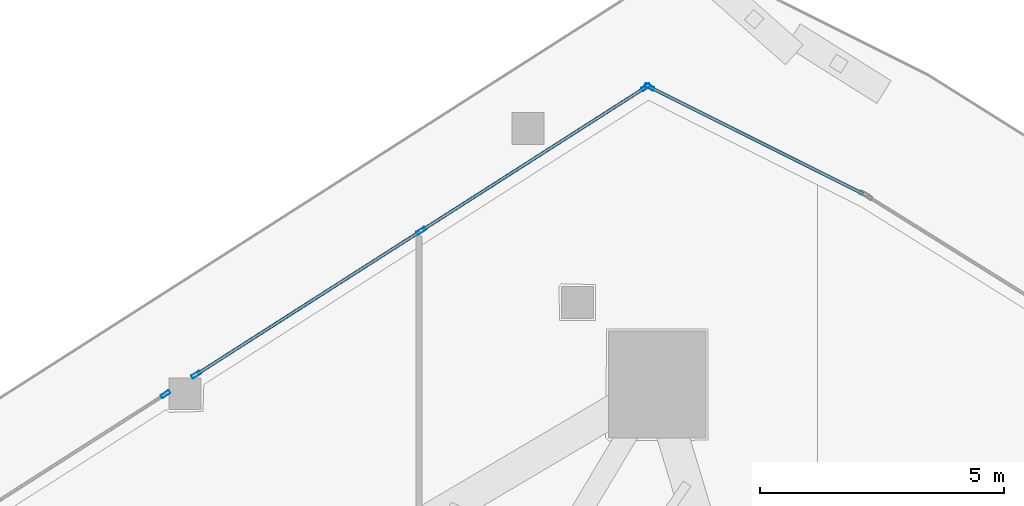
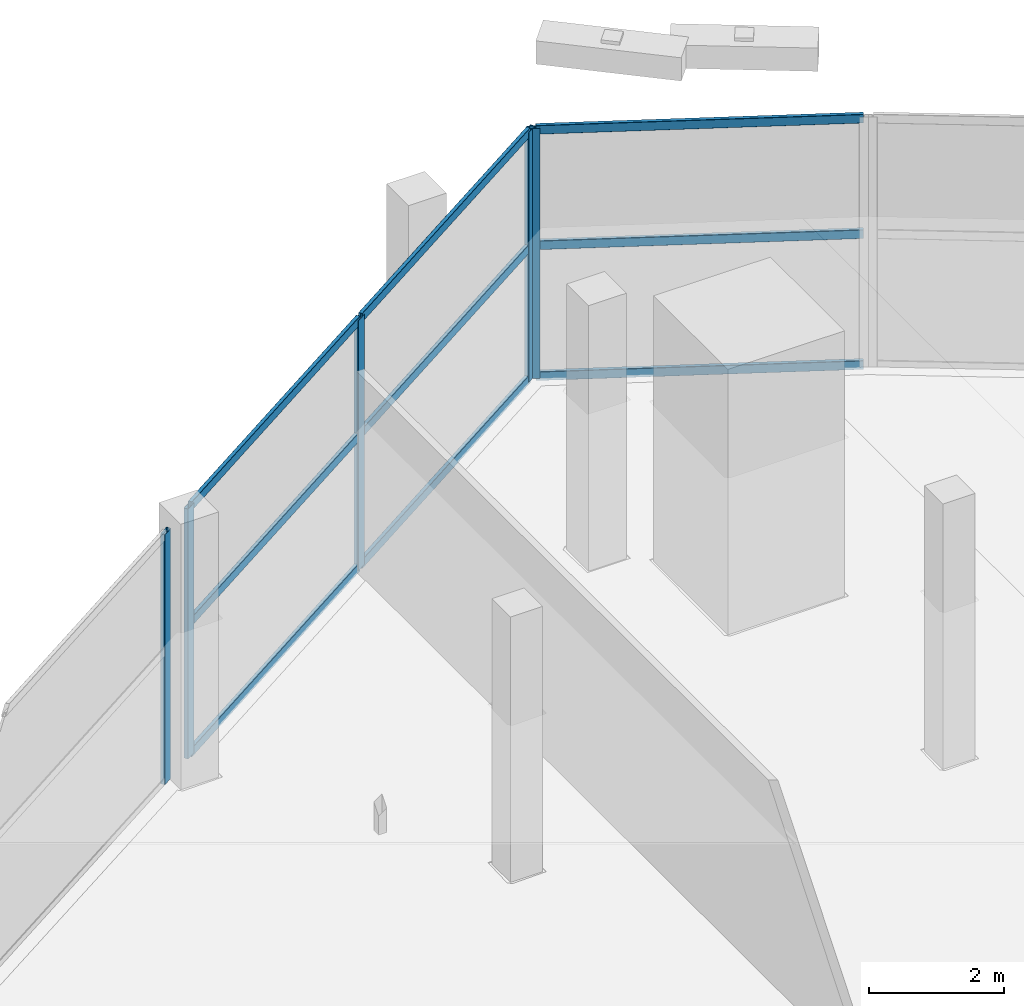
# One storey, part 20 of 42: 14 members, 3 elements without a shape of their own.
"""IFC4 building model written with IfcOpenShell, lengths in metres."""

import ifcopenshell
import ifcopenshell.guid

model = None  # the IFC model being written
_history = None  # IfcOwnerHistory: only IFC2X3 demands one
_inside = {}  # id of a spatial element -> (the spatial element, [elements in it])
_under = {}  # id of a project, library or spatial element -> (it, [spatial elements below it])
_declared = {}  # id of a project -> (the project, [libraries it declares])
_typed = {}  # id of a type object -> (the type object, [elements of that type])
_made_of = {}  # id of a material, layer set ... -> (it, [elements and type objects made of it])


def new_model(schema):
    """Start an empty IFC model of exactly this schema.

    Asked for "IFC4X3", IfcOpenShell would pick the latest addendum, in which some entities
    have other attributes; the version numbers below select the first issue.
    IFC2X3 requires an IfcOwnerHistory on every rooted entity: one is made here for all.
    """
    global model, _history
    if schema == "IFC4X3":
        model = ifcopenshell.file(schema_version=(4, 3, 0, 0))
    else:
        model = ifcopenshell.file(schema=schema)
    _inside.clear()
    _under.clear()
    _declared.clear()
    _typed.clear()
    _made_of.clear()
    _history = None
    if model.schema == "IFC2X3":
        org = make("IfcOrganization", Name="unknown")
        user = make(
            "IfcPersonAndOrganization",
            ThePerson=make("IfcPerson", FamilyName="unknown"),
            TheOrganization=org,
        )
        app = make(
            "IfcApplication",
            ApplicationDeveloper=org,
            Version="unknown",
            ApplicationFullName="unknown",
            ApplicationIdentifier="unknown",
        )
        _history = make(
            "IfcOwnerHistory",
            OwningUser=user,
            OwningApplication=app,
            ChangeAction="ADDED",
            CreationDate=0,
        )
    return model


def make(cls, **values):
    """One entity of the class cls with the attributes given. An attribute that is None is left unset."""
    return model.create_entity(
        cls, **{name: value for name, value in values.items() if value is not None}
    )


def rooted(cls, **values):
    """An entity with a GlobalId (a new one), such as an element, a storey or a relation."""
    return make(cls, GlobalId=ifcopenshell.guid.new(), OwnerHistory=_history, **values)


def si_unit(unit_type, name, prefix=None):
    """IfcSIUnit, for example si_unit("LENGTHUNIT", "METRE", prefix="MILLI")."""
    return make("IfcSIUnit", UnitType=unit_type, Prefix=prefix, Name=name)


def assignment(units):
    """IfcUnitAssignment: the units of a project."""
    return None if units is None else make("IfcUnitAssignment", Units=units)


def point(xyz):
    """IfcCartesianPoint."""
    return None if xyz is None else make("IfcCartesianPoint", Coordinates=xyz)


def direction(xyz):
    """IfcDirection."""
    return None if xyz is None else make("IfcDirection", DirectionRatios=xyz)


def frame(location, z_axis=None, x_axis=None):
    """IfcAxis2Placement3D, a coordinate frame: its origin and axes. An axis left out is left unset."""
    return make(
        "IfcAxis2Placement3D",
        Location=point(location),
        Axis=direction(z_axis),
        RefDirection=direction(x_axis),
    )


def frame_2d(location, x_axis=None):
    """IfcAxis2Placement2D, a coordinate frame in the plane: its origin and x axis."""
    return make(
        "IfcAxis2Placement2D", Location=point(location), RefDirection=direction(x_axis)
    )


def origin():
    """The frame at (0, 0, 0) with its axes left unset."""
    return frame((0.0, 0.0, 0.0))


def origin_2d():
    """The frame at (0, 0) in the plane with its x axis left unset."""
    return frame_2d((0.0, 0.0))


def place(relative_to, where):
    """IfcLocalPlacement: puts the frame where relative to a parent placement (None: the world)."""
    return make(
        "IfcLocalPlacement", PlacementRelTo=relative_to, RelativePlacement=where
    )


def context(
    kind, dimensions, precision=None, world=None, true_north=None, identifier=None
):
    """IfcGeometricRepresentationContext, for example the 3D "Model" context."""
    return make(
        "IfcGeometricRepresentationContext",
        ContextIdentifier=identifier,
        ContextType=kind,
        CoordinateSpaceDimension=dimensions,
        Precision=precision,
        WorldCoordinateSystem=world,
        TrueNorth=true_north,
    )


def subcontext(parent, identifier, kind, view, scale=None):
    """IfcGeometricRepresentationSubContext, for example "Body" below "Model"."""
    return make(
        "IfcGeometricRepresentationSubContext",
        ContextIdentifier=identifier,
        ContextType=kind,
        ParentContext=parent,
        TargetScale=scale,
        TargetView=view,
    )


def project(units=None, contexts=None):
    """IfcProject with its units and contexts."""
    return rooted(
        "IfcProject",
        Name="project",
        RepresentationContexts=contexts,
        UnitsInContext=assignment(units),
    )


def spatial(cls, under=None, at=None, **own):
    """A site, building, storey or space (cls), placed at a placement, below another one or the project."""
    s = rooted(cls, ObjectPlacement=at, **own)
    if under is not None:
        _under.setdefault(under.id(), (under, []))[1].append(s)
    return s


def profile(cls, at=None, kind="AREA", **sizes):
    """A parametric profile (cls). Its sizes go by their IFC names, for example OverallWidth=200.0."""
    return make(cls, ProfileType=kind, Position=at, **sizes)


def hollow_rectangle(**sizes):
    """IfcRectangleHollowProfileDef."""
    return profile("IfcRectangleHollowProfileDef", **sizes)


def extrude(swept, where, along, depth):
    """IfcExtrudedAreaSolid: the profile swept, set in the frame where, extruded along a direction by depth."""
    return make(
        "IfcExtrudedAreaSolid",
        SweptArea=swept,
        Position=where,
        ExtrudedDirection=direction(along),
        Depth=depth,
    )


def shape(context_of_items, identifier, shape_type, items):
    """IfcShapeRepresentation: the items that make up one representation, for example the "Body"."""
    return make(
        "IfcShapeRepresentation",
        ContextOfItems=context_of_items,
        RepresentationIdentifier=identifier,
        RepresentationType=shape_type,
        Items=items,
    )


def material(Name=None, Category=None):
    """IfcMaterial."""
    return make("IfcMaterial", Name=Name, Category=Category)


def layer(
    of_material, thickness, ventilated=None, Name=None, Category=None, Priority=None
):
    """IfcMaterialLayer: one layer of a wall or slab, of a material (None: an air gap)."""
    return make(
        "IfcMaterialLayer",
        Material=of_material,
        LayerThickness=thickness,
        IsVentilated=ventilated,
        Name=Name,
        Category=Category,
        Priority=Priority,
    )


def layer_set(layers, Name=None):
    """IfcMaterialLayerSet."""
    return make("IfcMaterialLayerSet", MaterialLayers=layers, LayerSetName=Name)


def material_profile(
    of_material, cross_section, Name=None, Category=None, Priority=None
):
    """IfcMaterialProfile: a cross section and its material."""
    return make(
        "IfcMaterialProfile",
        Name=Name,
        Material=of_material,
        Profile=cross_section,
        Priority=Priority,
        Category=Category,
    )


def profile_set(profiles, Name=None, composite=None):
    """IfcMaterialProfileSet."""
    return make(
        "IfcMaterialProfileSet",
        Name=Name,
        MaterialProfiles=profiles,
        CompositeProfile=composite,
    )


def made_of(thing, what):
    """Note that an element or type object is made of a material, layer set ...; save() writes the relation."""
    if what is not None:
        _made_of.setdefault(what.id(), (what, []))[1].append(thing)
    return thing


def type_object(cls, material=None, **own):
    """A type object (cls), such as IfcWallType, which elements share."""
    return made_of(rooted(cls, **own), material)


def element(
    cls,
    number,
    at=None,
    inside=None,
    cuts=None,
    type_object=None,
    material=None,
    context=None,
    identifier="Body",
    shape_type=None,
    held_by="IfcProductDefinitionShape",
    body=None,
    shapes=None,
    **own,
):
    """One element of the class cls, such as IfcWall. Its Tag is "e" and its number.

    at: its placement. inside: the storey or other place that contains it. cuts: it is an
    opening in that element (IfcRelVoidsElement). A single representation is given by context,
    identifier, shape_type and body (its items); several are given by shapes. held_by: the class
    of the entity that holds the representations. save() writes the other relations.
    """
    e = rooted(cls, Tag="e%d" % number, ObjectPlacement=at, **own)
    if body is not None:
        shapes = [shape(context, identifier, shape_type, body)]
    if shapes is not None:
        e.Representation = make(held_by, Representations=shapes)
    if inside is not None:
        _inside.setdefault(inside.id(), (inside, []))[1].append(e)
    if cuts is not None:
        rooted(
            "IfcRelVoidsElement", RelatingBuildingElement=cuts, RelatedOpeningElement=e
        )
    if type_object is not None:
        _typed.setdefault(type_object.id(), (type_object, []))[1].append(e)
    return made_of(e, material)


def aggregate(whole, parts):
    """IfcRelAggregates: a whole, such as a stair, and the parts it consists of."""
    return rooted("IfcRelAggregates", RelatingObject=whole, RelatedObjects=parts)


def save(model, path):
    """Write the relations noted so far, then the file.

    IfcRelAggregates (storeys below a building ...), IfcRelContainedInSpatialStructure (elements
    in a storey), IfcRelDefinesByType, IfcRelAssociatesMaterial and IfcRelDeclares: one each for
    every whole, place, type object, material and project.
    """
    for whole, parts in _under.values():
        aggregate(whole, parts)
    for where, things in _inside.values():
        rooted(
            "IfcRelContainedInSpatialStructure",
            RelatedElements=things,
            RelatingStructure=where,
        )
    for kind, things in _typed.values():
        rooted("IfcRelDefinesByType", RelatedObjects=things, RelatingType=kind)
    for what, things in _made_of.values():
        rooted("IfcRelAssociatesMaterial", RelatedObjects=things, RelatingMaterial=what)
    for by, libraries in _declared.values():
        rooted("IfcRelDeclares", RelatingContext=by, RelatedDefinitions=libraries)
    model.write(path)


model = new_model("IFC4")

# Units and contexts
model_context = context("Model", 3, precision=1e-05, world=origin(), true_north=direction((0.0, 1.0)))
body_context = subcontext(model_context, "Body", "Model", "MODEL_VIEW")
ifc_project = project(units=[si_unit("LENGTHUNIT", "METRE"), si_unit("AREAUNIT", "SQUARE_METRE"), si_unit("VOLUMEUNIT", "CUBIC_METRE"), si_unit("PLANEANGLEUNIT", "RADIAN"), si_unit("MASSUNIT", "GRAM", prefix="KILO")], contexts=[model_context])

# Site, building, storey
site_placement = place(None, origin())
site = spatial("IfcSite", under=ifc_project, at=site_placement, CompositionType="ELEMENT")
building_placement = place(site_placement, origin())
building = spatial("IfcBuilding", under=site, at=building_placement, Name="Qorvath Tower", CompositionType="ELEMENT")
storey_placement = place(building_placement, frame((0.0, 0.0, 105.0)))
storey = spatial("IfcBuildingStorey", under=building, at=storey_placement, Name="L23", CompositionType="ELEMENT", Elevation=105.0)

# Curtain wall, member
ifc_material_1 = material(Name="Anodised aluminium and triple low-E glass", Category="aluminium")
ifc_layer = layer(ifc_material_1, 0.179931640625)
ifc_layer_set = layer_set([ifc_layer], Name="CW-SYS-5")
curtain_wall_type = type_object("IfcCurtainWallType", Name="CW-SYS-5", PredefinedType="NOTDEFINED", material=ifc_layer_set)
curtain_wall_1_placement = place(storey_placement, origin())
curtain_wall_1 = element("IfcCurtainWall", 1, at=curtain_wall_1_placement, inside=storey, type_object=curtain_wall_type, Name="Curtain Wall CW-5 CW-T-L23-15.1", PredefinedType="NOTDEFINED")
ifc_material_2 = material(Name="Anodised aluminium 6063-T6", Category="aluminium")
ifc_material_profile_1 = material_profile(ifc_material_2, hollow_rectangle(XDim=0.074951171875, YDim=0.199951171875, WallThickness=0.00390625, InnerFilletRadius=0.00390625, OuterFilletRadius=0.008056640625, at=origin_2d()), Name="CWM 200x75")
ifc_profile_set_1 = profile_set([ifc_material_profile_1], Name="Anodised aluminium 6063-T6")
member_type_1 = type_object("IfcMemberType", Name="CWM-200", PredefinedType="MULLION", material=ifc_profile_set_1)
member_1_placement = place(storey_placement, frame((-15.509521484375, 31.3544921875, 0.0), z_axis=(0.0, 0.0, 1.0), x_axis=(-0.447189646231, -0.894439165234, 0.0)))
member_1 = element("IfcMember", 2, at=member_1_placement, type_object=member_type_1, Name="CW-5 mullion 2", PredefinedType="MULLION", context=body_context, shape_type="SweptSolid", body=[
    extrude(hollow_rectangle(XDim=0.074951171875, YDim=0.199951171875, WallThickness=0.00390625, InnerFilletRadius=0.00390625, OuterFilletRadius=0.008056640625, at=origin_2d()), origin(), (0.0, 0.0, 1.0), 4.52001953125),
])

# Curtain wall, members
curtain_wall_2_placement = place(storey_placement, origin())
curtain_wall_2 = element("IfcCurtainWall", 3, at=curtain_wall_2_placement, inside=storey, type_object=curtain_wall_type, Name="Curtain Wall CW-5 CW-T-L23-16.1", PredefinedType="NOTDEFINED")
member_2_placement = place(storey_placement, frame((-15.57470703125, 31.35107421875, 0.0), z_axis=(0.0, 0.0, 1.0), x_axis=(0.538539788099, -0.842600081079, 0.0)))
member_2 = element("IfcMember", 4, at=member_2_placement, type_object=member_type_1, Name="CW-5 mullion 1", PredefinedType="MULLION", context=body_context, shape_type="SweptSolid", body=[
    extrude(hollow_rectangle(XDim=0.074951171875, YDim=0.199951171875, WallThickness=0.00390625, InnerFilletRadius=0.00390625, OuterFilletRadius=0.008056640625, at=origin_2d()), origin(), (0.0, 0.0, 1.0), 4.52001953125),
])
member_3_placement = place(storey_placement, frame((-20.19189453125, 28.39990234375, 0.0), z_axis=(0.0, 0.0, 1.0), x_axis=(0.538539788099, -0.842600081079, 0.0)))
member_3 = element("IfcMember", 5, at=member_3_placement, type_object=member_type_1, Name="CW-5 mullion 2", PredefinedType="MULLION", context=body_context, shape_type="SweptSolid", body=[
    extrude(hollow_rectangle(XDim=0.074951171875, YDim=0.199951171875, WallThickness=0.00390625, InnerFilletRadius=0.00390625, OuterFilletRadius=0.008056640625, at=origin_2d()), origin(), (0.0, 0.0, 1.0), 4.52001953125),
])
member_4_placement = place(storey_placement, frame((-24.80908203125, 25.448974609375, 0.0), z_axis=(0.0, 0.0, 1.0), x_axis=(0.538539788099, -0.842600081079, 0.0)))
member_4 = element("IfcMember", 6, at=member_4_placement, type_object=member_type_1, Name="CW-5 mullion 3", PredefinedType="MULLION", context=body_context, shape_type="SweptSolid", body=[
    extrude(hollow_rectangle(XDim=0.074951171875, YDim=0.199951171875, WallThickness=0.00390625, InnerFilletRadius=0.00390625, OuterFilletRadius=0.008056640625, at=origin_2d()), origin(), (0.0, 0.0, 1.0), 4.52001953125),
])

# Curtain wall, member
curtain_wall_3_placement = place(storey_placement, origin())
curtain_wall_3 = element("IfcCurtainWall", 7, at=curtain_wall_3_placement, inside=storey, type_object=curtain_wall_type, Name="Curtain Wall CW-5 CW-T-L23-16.2", PredefinedType="NOTDEFINED")
member_5_placement = place(storey_placement, frame((-25.439208984375, 25.046142578125, 0.0), z_axis=(0.0, 0.0, 1.0), x_axis=(0.538542779135, -0.84259816938, 0.0)))
member_5 = element("IfcMember", 8, at=member_5_placement, type_object=member_type_1, Name="CW-5 mullion 1", PredefinedType="MULLION", context=body_context, shape_type="SweptSolid", body=[
    extrude(hollow_rectangle(XDim=0.074951171875, YDim=0.199951171875, WallThickness=0.00390625, InnerFilletRadius=0.00390625, OuterFilletRadius=0.008056640625, at=origin_2d()), origin(), (0.0, 0.0, 1.0), 4.52001953125),
])
aggregate(curtain_wall_3, [member_5])

# Member
ifc_material_3 = material(Name="Anodised aluminium 6063-T6", Category="aluminium")
ifc_material_profile_2 = material_profile(ifc_material_3, hollow_rectangle(XDim=0.06494140625, YDim=0.159912109375, WallThickness=0.00341796875, InnerFilletRadius=0.00341796875, OuterFilletRadius=0.007080078125, at=origin_2d()), Name="CWT 160x65")
ifc_profile_set_2 = profile_set([ifc_material_profile_2], Name="Anodised aluminium 6063-T6")
member_type_2 = type_object("IfcMemberType", Name="CWT-160", PredefinedType="USERDEFINED", material=ifc_profile_set_2)
member_6_placement = place(storey_placement, frame((-11.12841796875, 29.1640625, 0.032470703125), z_axis=(-0.89443723668, 0.447193503575, 0.0), x_axis=(-0.447193503575, -0.89443723668, 0.0)))
member_6 = element("IfcMember", 9, at=member_6_placement, type_object=member_type_2, Name="CW-5 transom 1.1", ObjectType="TRANSOM", PredefinedType="USERDEFINED", context=body_context, shape_type="SweptSolid", body=[
    extrude(hollow_rectangle(XDim=0.06494140625, YDim=0.159912109375, WallThickness=0.00341796875, InnerFilletRadius=0.00341796875, OuterFilletRadius=0.007080078125, at=origin_2d()), origin(), (0.0, 0.0, 1.0), 4.860595703125),
])

member_7_placement = place(storey_placement, frame((-11.12841796875, 29.1640625, 2.39990234375), z_axis=(-0.89443723668, 0.447193503575, 0.0), x_axis=(-0.447193503575, -0.89443723668, 0.0)))
member_7 = element("IfcMember", 10, at=member_7_placement, type_object=member_type_2, Name="CW-5 transom 1.2", ObjectType="TRANSOM", PredefinedType="USERDEFINED", context=body_context, shape_type="SweptSolid", body=[
    extrude(hollow_rectangle(XDim=0.06494140625, YDim=0.159912109375, WallThickness=0.00341796875, InnerFilletRadius=0.00341796875, OuterFilletRadius=0.007080078125, at=origin_2d()), origin(), (0.0, 0.0, 1.0), 4.860595703125),
])

member_8_placement = place(storey_placement, frame((-11.12841796875, 29.1640625, 4.487548828125), z_axis=(-0.89443723668, 0.447193503575, 0.0), x_axis=(-0.447193503575, -0.89443723668, 0.0)))
member_8 = element("IfcMember", 11, at=member_8_placement, type_object=member_type_2, Name="CW-5 transom 1.3", ObjectType="TRANSOM", PredefinedType="USERDEFINED", context=body_context, shape_type="SweptSolid", body=[
    extrude(hollow_rectangle(XDim=0.06494140625, YDim=0.159912109375, WallThickness=0.00341796875, InnerFilletRadius=0.00341796875, OuterFilletRadius=0.007080078125, at=origin_2d()), origin(), (0.0, 0.0, 1.0), 4.860595703125),
])

aggregate(curtain_wall_1, [member_1, member_6, member_7, member_8])

member_9_placement = place(storey_placement, frame((-15.606201171875, 31.330810546875, 0.032470703125), z_axis=(-0.842610858369, -0.538522925564, 0.0), x_axis=(0.538522925564, -0.842610858369, 0.0)))
member_9 = element("IfcMember", 12, at=member_9_placement, type_object=member_type_2, Name="CW-5 transom 1.1", ObjectType="TRANSOM", PredefinedType="USERDEFINED", context=body_context, shape_type="SweptSolid", body=[
    extrude(hollow_rectangle(XDim=0.06494140625, YDim=0.159912109375, WallThickness=0.00341796875, InnerFilletRadius=0.00341796875, OuterFilletRadius=0.007080078125, at=origin_2d()), origin(), (0.0, 0.0, 1.0), 5.40478515625),
])

member_10_placement = place(storey_placement, frame((-15.606201171875, 31.330810546875, 2.39990234375), z_axis=(-0.842610858369, -0.538522925564, 0.0), x_axis=(0.538522925564, -0.842610858369, 0.0)))
member_10 = element("IfcMember", 13, at=member_10_placement, type_object=member_type_2, Name="CW-5 transom 1.2", ObjectType="TRANSOM", PredefinedType="USERDEFINED", context=body_context, shape_type="SweptSolid", body=[
    extrude(hollow_rectangle(XDim=0.06494140625, YDim=0.159912109375, WallThickness=0.00341796875, InnerFilletRadius=0.00341796875, OuterFilletRadius=0.007080078125, at=origin_2d()), origin(), (0.0, 0.0, 1.0), 5.40478515625),
])

member_11_placement = place(storey_placement, frame((-15.606201171875, 31.330810546875, 4.487548828125), z_axis=(-0.842610858369, -0.538522925564, 0.0), x_axis=(0.538522925564, -0.842610858369, 0.0)))
member_11 = element("IfcMember", 14, at=member_11_placement, type_object=member_type_2, Name="CW-5 transom 1.3", ObjectType="TRANSOM", PredefinedType="USERDEFINED", context=body_context, shape_type="SweptSolid", body=[
    extrude(hollow_rectangle(XDim=0.06494140625, YDim=0.159912109375, WallThickness=0.00341796875, InnerFilletRadius=0.00341796875, OuterFilletRadius=0.007080078125, at=origin_2d()), origin(), (0.0, 0.0, 1.0), 5.40478515625),
])

member_12_placement = place(storey_placement, frame((-20.223388671875, 28.3798828125, 0.032470703125), z_axis=(-0.842590361445, -0.538554995149, 0.0), x_axis=(0.538554995149, -0.842590361445, 0.0)))
member_12 = element("IfcMember", 15, at=member_12_placement, type_object=member_type_2, Name="CW-5 transom 2.1", ObjectType="TRANSOM", PredefinedType="USERDEFINED", context=body_context, shape_type="SweptSolid", body=[
    extrude(hollow_rectangle(XDim=0.06494140625, YDim=0.159912109375, WallThickness=0.00341796875, InnerFilletRadius=0.00341796875, OuterFilletRadius=0.007080078125, at=origin_2d()), origin(), (0.0, 0.0, 1.0), 5.405029296875),
])

member_13_placement = place(storey_placement, frame((-20.223388671875, 28.3798828125, 2.39990234375), z_axis=(-0.842590361445, -0.538554995149, 0.0), x_axis=(0.538554995149, -0.842590361445, 0.0)))
member_13 = element("IfcMember", 16, at=member_13_placement, type_object=member_type_2, Name="CW-5 transom 2.2", ObjectType="TRANSOM", PredefinedType="USERDEFINED", context=body_context, shape_type="SweptSolid", body=[
    extrude(hollow_rectangle(XDim=0.06494140625, YDim=0.159912109375, WallThickness=0.00341796875, InnerFilletRadius=0.00341796875, OuterFilletRadius=0.007080078125, at=origin_2d()), origin(), (0.0, 0.0, 1.0), 5.405029296875),
])

member_14_placement = place(storey_placement, frame((-20.223388671875, 28.3798828125, 4.487548828125), z_axis=(-0.842590361445, -0.538554995149, 0.0), x_axis=(0.538554995149, -0.842590361445, 0.0)))
member_14 = element("IfcMember", 17, at=member_14_placement, type_object=member_type_2, Name="CW-5 transom 2.3", ObjectType="TRANSOM", PredefinedType="USERDEFINED", context=body_context, shape_type="SweptSolid", body=[
    extrude(hollow_rectangle(XDim=0.06494140625, YDim=0.159912109375, WallThickness=0.00341796875, InnerFilletRadius=0.00341796875, OuterFilletRadius=0.007080078125, at=origin_2d()), origin(), (0.0, 0.0, 1.0), 5.405029296875),
])

aggregate(curtain_wall_2, [member_2, member_3, member_4, member_9, member_10, member_11, member_12, member_13, member_14])

save(model, "model.ifc")
